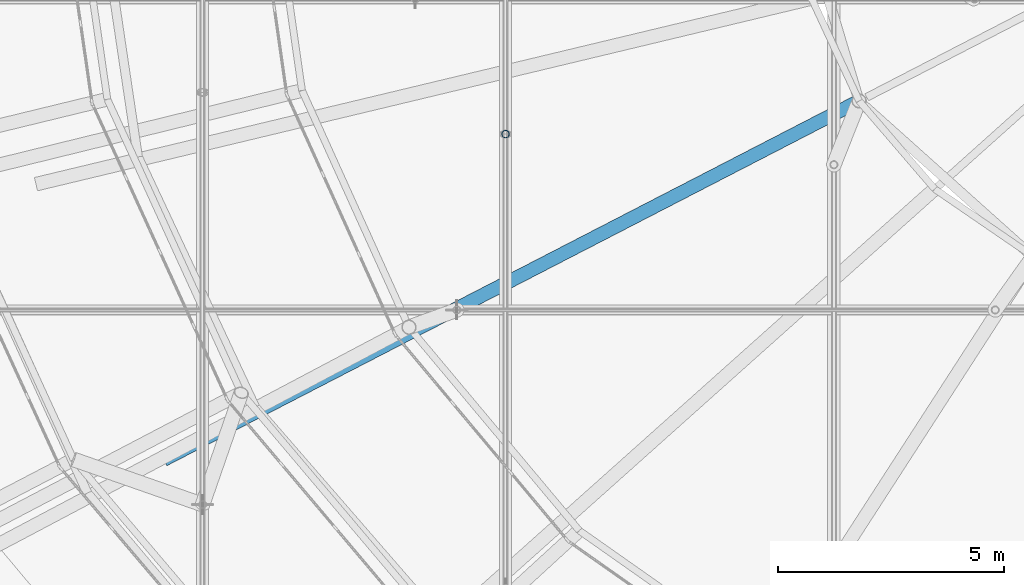
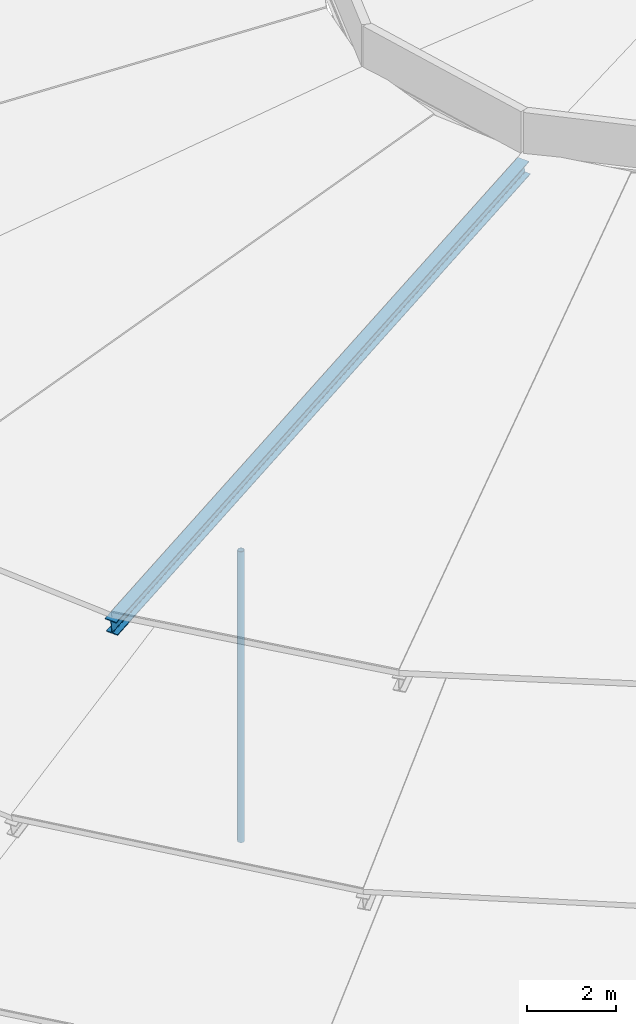
# One storey, part 36 of 173: 2 members.
"""IFC4 building model written with IfcOpenShell, lengths in metres."""

import ifcopenshell
import ifcopenshell.guid

model = None  # the IFC model being written
_history = None  # IfcOwnerHistory: only IFC2X3 demands one
_inside = {}  # id of a spatial element -> (the spatial element, [elements in it])
_under = {}  # id of a project, library or spatial element -> (it, [spatial elements below it])
_declared = {}  # id of a project -> (the project, [libraries it declares])
_typed = {}  # id of a type object -> (the type object, [elements of that type])
_made_of = {}  # id of a material, layer set ... -> (it, [elements and type objects made of it])


def new_model(schema):
    """Start an empty IFC model of exactly this schema.

    Asked for "IFC4X3", IfcOpenShell would pick the latest addendum, in which some entities
    have other attributes; the version numbers below select the first issue.
    IFC2X3 requires an IfcOwnerHistory on every rooted entity: one is made here for all.
    """
    global model, _history
    if schema == "IFC4X3":
        model = ifcopenshell.file(schema_version=(4, 3, 0, 0))
    else:
        model = ifcopenshell.file(schema=schema)
    _inside.clear()
    _under.clear()
    _declared.clear()
    _typed.clear()
    _made_of.clear()
    _history = None
    if model.schema == "IFC2X3":
        org = make("IfcOrganization", Name="unknown")
        user = make(
            "IfcPersonAndOrganization",
            ThePerson=make("IfcPerson", FamilyName="unknown"),
            TheOrganization=org,
        )
        app = make(
            "IfcApplication",
            ApplicationDeveloper=org,
            Version="unknown",
            ApplicationFullName="unknown",
            ApplicationIdentifier="unknown",
        )
        _history = make(
            "IfcOwnerHistory",
            OwningUser=user,
            OwningApplication=app,
            ChangeAction="ADDED",
            CreationDate=0,
        )
    return model


def make(cls, **values):
    """One entity of the class cls with the attributes given. An attribute that is None is left unset."""
    return model.create_entity(
        cls, **{name: value for name, value in values.items() if value is not None}
    )


def rooted(cls, **values):
    """An entity with a GlobalId (a new one), such as an element, a storey or a relation."""
    return make(cls, GlobalId=ifcopenshell.guid.new(), OwnerHistory=_history, **values)


def si_unit(unit_type, name, prefix=None):
    """IfcSIUnit, for example si_unit("LENGTHUNIT", "METRE", prefix="MILLI")."""
    return make("IfcSIUnit", UnitType=unit_type, Prefix=prefix, Name=name)


def assignment(units):
    """IfcUnitAssignment: the units of a project."""
    return None if units is None else make("IfcUnitAssignment", Units=units)


def point(xyz):
    """IfcCartesianPoint."""
    return None if xyz is None else make("IfcCartesianPoint", Coordinates=xyz)


def direction(xyz):
    """IfcDirection."""
    return None if xyz is None else make("IfcDirection", DirectionRatios=xyz)


def frame(location, z_axis=None, x_axis=None):
    """IfcAxis2Placement3D, a coordinate frame: its origin and axes. An axis left out is left unset."""
    return make(
        "IfcAxis2Placement3D",
        Location=point(location),
        Axis=direction(z_axis),
        RefDirection=direction(x_axis),
    )


def frame_2d(location, x_axis=None):
    """IfcAxis2Placement2D, a coordinate frame in the plane: its origin and x axis."""
    return make(
        "IfcAxis2Placement2D", Location=point(location), RefDirection=direction(x_axis)
    )


def origin():
    """The frame at (0, 0, 0) with its axes left unset."""
    return frame((0.0, 0.0, 0.0))


def origin_2d():
    """The frame at (0, 0) in the plane with its x axis left unset."""
    return frame_2d((0.0, 0.0))


def place(relative_to, where):
    """IfcLocalPlacement: puts the frame where relative to a parent placement (None: the world)."""
    return make(
        "IfcLocalPlacement", PlacementRelTo=relative_to, RelativePlacement=where
    )


def context(
    kind, dimensions, precision=None, world=None, true_north=None, identifier=None
):
    """IfcGeometricRepresentationContext, for example the 3D "Model" context."""
    return make(
        "IfcGeometricRepresentationContext",
        ContextIdentifier=identifier,
        ContextType=kind,
        CoordinateSpaceDimension=dimensions,
        Precision=precision,
        WorldCoordinateSystem=world,
        TrueNorth=true_north,
    )


def subcontext(parent, identifier, kind, view, scale=None):
    """IfcGeometricRepresentationSubContext, for example "Body" below "Model"."""
    return make(
        "IfcGeometricRepresentationSubContext",
        ContextIdentifier=identifier,
        ContextType=kind,
        ParentContext=parent,
        TargetScale=scale,
        TargetView=view,
    )


def project(units=None, contexts=None):
    """IfcProject with its units and contexts."""
    return rooted(
        "IfcProject",
        Name="project",
        RepresentationContexts=contexts,
        UnitsInContext=assignment(units),
    )


def spatial(cls, under=None, at=None, **own):
    """A site, building, storey or space (cls), placed at a placement, below another one or the project."""
    s = rooted(cls, ObjectPlacement=at, **own)
    if under is not None:
        _under.setdefault(under.id(), (under, []))[1].append(s)
    return s


def profile(cls, at=None, kind="AREA", **sizes):
    """A parametric profile (cls). Its sizes go by their IFC names, for example OverallWidth=200.0."""
    return make(cls, ProfileType=kind, Position=at, **sizes)


def hollow_circle(**sizes):
    """IfcCircleHollowProfileDef."""
    return profile("IfcCircleHollowProfileDef", **sizes)


def i_section(**sizes):
    """IfcIShapeProfileDef."""
    return profile("IfcIShapeProfileDef", **sizes)


def extrude(swept, where, along, depth):
    """IfcExtrudedAreaSolid: the profile swept, set in the frame where, extruded along a direction by depth."""
    return make(
        "IfcExtrudedAreaSolid",
        SweptArea=swept,
        Position=where,
        ExtrudedDirection=direction(along),
        Depth=depth,
    )


def shape(context_of_items, identifier, shape_type, items):
    """IfcShapeRepresentation: the items that make up one representation, for example the "Body"."""
    return make(
        "IfcShapeRepresentation",
        ContextOfItems=context_of_items,
        RepresentationIdentifier=identifier,
        RepresentationType=shape_type,
        Items=items,
    )


def material(Name=None, Category=None):
    """IfcMaterial."""
    return make("IfcMaterial", Name=Name, Category=Category)


def material_profile(
    of_material, cross_section, Name=None, Category=None, Priority=None
):
    """IfcMaterialProfile: a cross section and its material."""
    return make(
        "IfcMaterialProfile",
        Name=Name,
        Material=of_material,
        Profile=cross_section,
        Priority=Priority,
        Category=Category,
    )


def profile_set(profiles, Name=None, composite=None):
    """IfcMaterialProfileSet."""
    return make(
        "IfcMaterialProfileSet",
        Name=Name,
        MaterialProfiles=profiles,
        CompositeProfile=composite,
    )


def made_of(thing, what):
    """Note that an element or type object is made of a material, layer set ...; save() writes the relation."""
    if what is not None:
        _made_of.setdefault(what.id(), (what, []))[1].append(thing)
    return thing


def type_object(cls, material=None, **own):
    """A type object (cls), such as IfcWallType, which elements share."""
    return made_of(rooted(cls, **own), material)


def element(
    cls,
    number,
    at=None,
    inside=None,
    cuts=None,
    type_object=None,
    material=None,
    context=None,
    identifier="Body",
    shape_type=None,
    held_by="IfcProductDefinitionShape",
    body=None,
    shapes=None,
    **own,
):
    """One element of the class cls, such as IfcWall. Its Tag is "e" and its number.

    at: its placement. inside: the storey or other place that contains it. cuts: it is an
    opening in that element (IfcRelVoidsElement). A single representation is given by context,
    identifier, shape_type and body (its items); several are given by shapes. held_by: the class
    of the entity that holds the representations. save() writes the other relations.
    """
    e = rooted(cls, Tag="e%d" % number, ObjectPlacement=at, **own)
    if body is not None:
        shapes = [shape(context, identifier, shape_type, body)]
    if shapes is not None:
        e.Representation = make(held_by, Representations=shapes)
    if inside is not None:
        _inside.setdefault(inside.id(), (inside, []))[1].append(e)
    if cuts is not None:
        rooted(
            "IfcRelVoidsElement", RelatingBuildingElement=cuts, RelatedOpeningElement=e
        )
    if type_object is not None:
        _typed.setdefault(type_object.id(), (type_object, []))[1].append(e)
    return made_of(e, material)


def aggregate(whole, parts):
    """IfcRelAggregates: a whole, such as a stair, and the parts it consists of."""
    return rooted("IfcRelAggregates", RelatingObject=whole, RelatedObjects=parts)


def save(model, path):
    """Write the relations noted so far, then the file.

    IfcRelAggregates (storeys below a building ...), IfcRelContainedInSpatialStructure (elements
    in a storey), IfcRelDefinesByType, IfcRelAssociatesMaterial and IfcRelDeclares: one each for
    every whole, place, type object, material and project.
    """
    for whole, parts in _under.values():
        aggregate(whole, parts)
    for where, things in _inside.values():
        rooted(
            "IfcRelContainedInSpatialStructure",
            RelatedElements=things,
            RelatingStructure=where,
        )
    for kind, things in _typed.values():
        rooted("IfcRelDefinesByType", RelatedObjects=things, RelatingType=kind)
    for what, things in _made_of.values():
        rooted("IfcRelAssociatesMaterial", RelatedObjects=things, RelatingMaterial=what)
    for by, libraries in _declared.values():
        rooted("IfcRelDeclares", RelatingContext=by, RelatedDefinitions=libraries)
    model.write(path)


model = new_model("IFC4")

# Units and contexts
model_context = context("Model", 3, precision=1e-05, world=origin(), true_north=direction((0.0, 1.0)))
body_context = subcontext(model_context, "Body", "Model", "MODEL_VIEW")
ifc_project = project(units=[si_unit("LENGTHUNIT", "METRE"), si_unit("AREAUNIT", "SQUARE_METRE"), si_unit("VOLUMEUNIT", "CUBIC_METRE"), si_unit("PLANEANGLEUNIT", "RADIAN"), si_unit("MASSUNIT", "GRAM", prefix="KILO")], contexts=[model_context])

# Site, building, storey
site_placement = place(None, origin())
site = spatial("IfcSite", under=ifc_project, at=site_placement, CompositionType="ELEMENT")
building_placement = place(site_placement, origin())
building = spatial("IfcBuilding", under=site, at=building_placement, Name="Glasvene Arena", CompositionType="ELEMENT")
storey_placement = place(building_placement, frame((0.0, 0.0, 28.800048828125)))
storey = spatial("IfcBuildingStorey", under=building, at=storey_placement, Name="RF", CompositionType="ELEMENT", Elevation=28.800048828125)

# Members
ifc_material = material(Name="Steel S355J2", Category="steel")
ifc_material_profile_1 = material_profile(ifc_material, i_section(OverallWidth=0.300048828125, OverallDepth=0.39990234375, WebThickness=0.013427734375, FlangeThickness=0.02392578125, FilletRadius=0.027099609375, at=origin_2d()), Name="HEB 400")
ifc_profile_set_1 = profile_set([ifc_material_profile_1], Name="Steel S355J2")
member_type_1 = type_object("IfcMemberType", Name="MB-CHORD-HEB400", PredefinedType="CHORD", material=ifc_profile_set_1)
member_1_placement = place(storey_placement, frame((61.778076171875, 55.800048828125, 10.550048828125), z_axis=(0.879139743205, 0.4535720336, 0.146238579907), x_axis=(-0.458501219441, 0.888693778403, 0.0)))
element("IfcMember", 1, at=member_1_placement, inside=storey, type_object=member_type_1, Name="Petal ring 5 radial rib 15", PredefinedType="CHORD", context=body_context, shape_type="SweptSolid", body=[
    extrude(i_section(OverallWidth=0.300048828125, OverallDepth=0.39990234375, WebThickness=0.013427734375, FlangeThickness=0.02392578125, FilletRadius=0.027099609375, at=origin_2d()), origin(), (0.0, 0.0, 1.0), 17.43603515625),
])
ifc_material_profile_2 = material_profile(ifc_material, hollow_circle(Radius=0.084228515625, WallThickness=0.008056640625, at=origin_2d()), Name="CHS 168.3x8.0")
ifc_profile_set_2 = profile_set([ifc_material_profile_2], Name="Steel S355J2")
member_type_2 = type_object("IfcMemberType", Name="MB-WEB-CHS168", PredefinedType="BRACE", material=ifc_profile_set_2)
member_2_placement = place(storey_placement, frame((69.300537109375, 62.976318359375, -2.328125), z_axis=(0.0, 0.0, 1.0), x_axis=(1.0, 0.0, 0.0)))
element("IfcMember", 2, at=member_2_placement, inside=storey, type_object=member_type_2, Name="Cable-truss vertical strut NS08-03", PredefinedType="BRACE", context=body_context, shape_type="SweptSolid", body=[
    extrude(hollow_circle(Radius=0.084228515625, WallThickness=0.008056640625, at=origin_2d()), origin(), (0.0, 0.0, 1.0), 8.0185546875),
])

save(model, "model.ifc")
